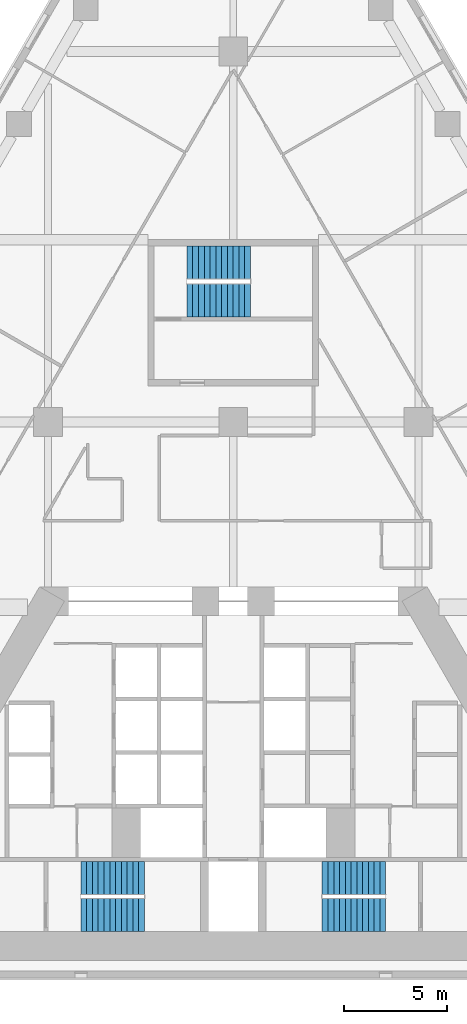
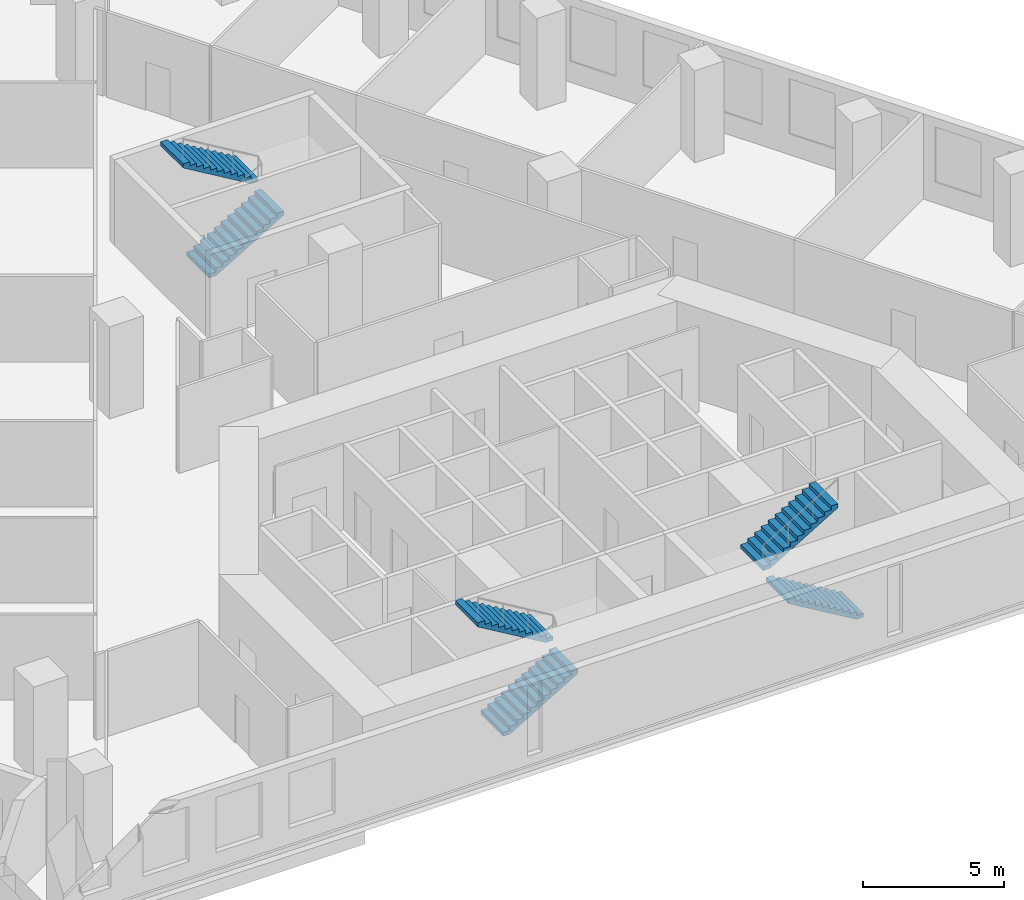
# One storey, part 10 of 11: 6 stair flights, 3 elements without a shape of their own.
"""IFC4 building model written with IfcOpenShell, lengths in metres."""

from ifc_helpers import new_model, si_unit, direction, frame, origin, place, context, subcontext, project, spatial, polyline, outline, extrude, material, type_object, element, aggregate, save


model = new_model("IFC4")

# Units and contexts
model_context = context("Model", 3, precision=1e-05, world=origin(), true_north=direction((0.0, 1.0)))
body_context = subcontext(model_context, "Body", "Model", "MODEL_VIEW")
ifc_project = project(units=[si_unit("LENGTHUNIT", "METRE"), si_unit("AREAUNIT", "SQUARE_METRE"), si_unit("VOLUMEUNIT", "CUBIC_METRE"), si_unit("PLANEANGLEUNIT", "RADIAN"), si_unit("MASSUNIT", "GRAM", prefix="KILO")], contexts=[model_context])

# Site, building, storey
site_placement = place(None, origin())
site = spatial("IfcSite", under=ifc_project, at=site_placement, CompositionType="ELEMENT")
building_placement = place(site_placement, origin())
building = spatial("IfcBuilding", under=site, at=building_placement, Name="Fogline Exchange Tower", CompositionType="ELEMENT")
storey_placement = place(building_placement, frame((0.0, 0.0, 56.89990234375)))
storey = spatial("IfcBuildingStorey", under=building, at=storey_placement, Name="L11", CompositionType="ELEMENT", Elevation=56.89990234375)

# Stair, stair flights
ifc_material = material(Name="Concrete C40", Category="concrete")
stair_type = type_object("IfcStairType", Name="STR24-1667", PredefinedType="HALF_TURN_STAIR", material=ifc_material)
stair_1_placement = place(storey_placement, origin())
stair_1 = element("IfcStair", 1, at=stair_1_placement, inside=storey, type_object=stair_type, Name="Stair ST1", PredefinedType="HALF_TURN_STAIR")
stair_flight_type = type_object("IfcStairFlightType", Name="SF12-1667", PredefinedType="STRAIGHT", material=ifc_material)
stair_flight_1_placement = place(storey_placement, frame((-7.39990234375, 3.050048828125, 0.0), z_axis=(0.0, 0.0, 1.0), x_axis=(1.0, 0.0, 0.0)))
stair_flight_1 = element("IfcStairFlight", 2, at=stair_flight_1_placement, type_object=stair_flight_type, Name="ST1 flight 1", NumberOfRisers=12, NumberOfTreads=11, PredefinedType="STRAIGHT", RiserHeight=0.166666667, TreadLength=0.28, context=body_context, shape_type="SweptSolid", body=[
    extrude(outline(polyline([(0.0, 0.0), (0.0, 0.166748046875), (0.280029296875, 0.166748046875), (0.280029296875, 0.333251953125), (0.56005859375, 0.333251953125), (0.56005859375, 0.5), (0.840087890625, 0.5), (0.840087890625, 0.666748046875), (1.1201171875, 0.666748046875), (1.1201171875, 0.833251953125), (1.39990234375, 0.833251953125), (1.39990234375, 1.0), (1.679931640625, 1.0), (1.679931640625, 1.166748046875), (1.9599609375, 1.166748046875), (1.9599609375, 1.333251953125), (2.239990234375, 1.333251953125), (2.239990234375, 1.5), (2.52001953125, 1.5), (2.52001953125, 1.666748046875), (2.800048828125, 1.666748046875), (2.800048828125, 1.833251953125), (3.080078125, 1.833251953125), (3.080078125, 2.0), (3.080078125, 1.658935546875), (0.29296875, 0.0), (0.0, 0.0)])), frame((0.0, 0.800048828125, 0.0), z_axis=(0.0, -1.0, 0.0), x_axis=(1.0, 0.0, 0.0)), (0.0, 0.0, 1.0), 1.60009765625),
])
stair_flight_2_placement = place(storey_placement, frame((-4.320068359375, 4.85009765625, 2.0), z_axis=(0.0, 0.0, 1.0), x_axis=(-1.0, 0.0, 0.0)))
stair_flight_2 = element("IfcStairFlight", 3, at=stair_flight_2_placement, type_object=stair_flight_type, Name="ST1 flight 2", NumberOfRisers=12, NumberOfTreads=11, PredefinedType="STRAIGHT", RiserHeight=0.166666667, TreadLength=0.28, context=body_context, shape_type="SweptSolid", body=[
    extrude(outline(polyline([(0.0, 0.0), (0.0, 0.166748046875), (0.280029296875, 0.166748046875), (0.280029296875, 0.333251953125), (0.56005859375, 0.333251953125), (0.56005859375, 0.5), (0.840087890625, 0.5), (0.840087890625, 0.666748046875), (1.1201171875, 0.666748046875), (1.1201171875, 0.833251953125), (1.39990234375, 0.833251953125), (1.39990234375, 1.0), (1.679931640625, 1.0), (1.679931640625, 1.166748046875), (1.9599609375, 1.166748046875), (1.9599609375, 1.333251953125), (2.239990234375, 1.333251953125), (2.239990234375, 1.5), (2.52001953125, 1.5), (2.52001953125, 1.666748046875), (2.800048828125, 1.666748046875), (2.800048828125, 1.833251953125), (3.080078125, 1.833251953125), (3.080078125, 2.0), (3.080078125, 1.658935546875), (0.29296875, 0.0), (0.0, 0.0)])), frame((0.0, 0.800048828125, 0.0), z_axis=(0.0, -1.0, 0.0), x_axis=(1.0, 0.0, 0.0)), (0.0, 0.0, 1.0), 1.60009765625),
])
aggregate(stair_1, [stair_flight_1, stair_flight_2])

stair_2_placement = place(storey_placement, origin())
stair_2 = element("IfcStair", 4, at=stair_2_placement, inside=storey, type_object=stair_type, Name="Stair ST2", PredefinedType="HALF_TURN_STAIR")
stair_flight_3_placement = place(storey_placement, frame((7.39990234375, 3.050048828125, 0.0), z_axis=(0.0, 0.0, 1.0), x_axis=(-1.0, 0.0, 0.0)))
stair_flight_3 = element("IfcStairFlight", 5, at=stair_flight_3_placement, type_object=stair_flight_type, Name="ST2 flight 1", NumberOfRisers=12, NumberOfTreads=11, PredefinedType="STRAIGHT", RiserHeight=0.166666667, TreadLength=0.28, context=body_context, shape_type="SweptSolid", body=[
    extrude(outline(polyline([(0.0, 0.0), (0.0, 0.166748046875), (0.280029296875, 0.166748046875), (0.280029296875, 0.333251953125), (0.56005859375, 0.333251953125), (0.56005859375, 0.5), (0.840087890625, 0.5), (0.840087890625, 0.666748046875), (1.1201171875, 0.666748046875), (1.1201171875, 0.833251953125), (1.39990234375, 0.833251953125), (1.39990234375, 1.0), (1.679931640625, 1.0), (1.679931640625, 1.166748046875), (1.9599609375, 1.166748046875), (1.9599609375, 1.333251953125), (2.239990234375, 1.333251953125), (2.239990234375, 1.5), (2.52001953125, 1.5), (2.52001953125, 1.666748046875), (2.800048828125, 1.666748046875), (2.800048828125, 1.833251953125), (3.080078125, 1.833251953125), (3.080078125, 2.0), (3.080078125, 1.658935546875), (0.29296875, 0.0), (0.0, 0.0)])), frame((0.0, 0.800048828125, 0.0), z_axis=(0.0, -1.0, 0.0), x_axis=(1.0, 0.0, 0.0)), (0.0, 0.0, 1.0), 1.60009765625),
])
stair_flight_4_placement = place(storey_placement, frame((4.320068359375, 4.85009765625, 2.0), z_axis=(0.0, 0.0, 1.0), x_axis=(1.0, 0.0, 0.0)))
stair_flight_4 = element("IfcStairFlight", 6, at=stair_flight_4_placement, type_object=stair_flight_type, Name="ST2 flight 2", NumberOfRisers=12, NumberOfTreads=11, PredefinedType="STRAIGHT", RiserHeight=0.166666667, TreadLength=0.28, context=body_context, shape_type="SweptSolid", body=[
    extrude(outline(polyline([(0.0, 0.0), (0.0, 0.166748046875), (0.280029296875, 0.166748046875), (0.280029296875, 0.333251953125), (0.56005859375, 0.333251953125), (0.56005859375, 0.5), (0.840087890625, 0.5), (0.840087890625, 0.666748046875), (1.1201171875, 0.666748046875), (1.1201171875, 0.833251953125), (1.39990234375, 0.833251953125), (1.39990234375, 1.0), (1.679931640625, 1.0), (1.679931640625, 1.166748046875), (1.9599609375, 1.166748046875), (1.9599609375, 1.333251953125), (2.239990234375, 1.333251953125), (2.239990234375, 1.5), (2.52001953125, 1.5), (2.52001953125, 1.666748046875), (2.800048828125, 1.666748046875), (2.800048828125, 1.833251953125), (3.080078125, 1.833251953125), (3.080078125, 2.0), (3.080078125, 1.658935546875), (0.29296875, 0.0), (0.0, 0.0)])), frame((0.0, 0.800048828125, 0.0), z_axis=(0.0, -1.0, 0.0), x_axis=(1.0, 0.0, 0.0)), (0.0, 0.0, 1.0), 1.60009765625),
])
aggregate(stair_2, [stair_flight_3, stair_flight_4])

stair_3_placement = place(storey_placement, origin())
stair_3 = element("IfcStair", 7, at=stair_3_placement, inside=storey, type_object=stair_type, Name="Stair ST3", PredefinedType="HALF_TURN_STAIR")
stair_flight_5_placement = place(storey_placement, frame((-2.25, 32.906982421875, 0.0), z_axis=(0.0, 0.0, 1.0), x_axis=(1.0, 0.0, 0.0)))
stair_flight_5 = element("IfcStairFlight", 8, at=stair_flight_5_placement, type_object=stair_flight_type, Name="ST3 flight 1", NumberOfRisers=12, NumberOfTreads=11, PredefinedType="STRAIGHT", RiserHeight=0.166666667, TreadLength=0.28, context=body_context, shape_type="SweptSolid", body=[
    extrude(outline(polyline([(0.0, 0.0), (0.0, 0.166748046875), (0.280029296875, 0.166748046875), (0.280029296875, 0.333251953125), (0.56005859375, 0.333251953125), (0.56005859375, 0.5), (0.840087890625, 0.5), (0.840087890625, 0.666748046875), (1.1201171875, 0.666748046875), (1.1201171875, 0.833251953125), (1.39990234375, 0.833251953125), (1.39990234375, 1.0), (1.679931640625, 1.0), (1.679931640625, 1.166748046875), (1.9599609375, 1.166748046875), (1.9599609375, 1.333251953125), (2.239990234375, 1.333251953125), (2.239990234375, 1.5), (2.52001953125, 1.5), (2.52001953125, 1.666748046875), (2.800048828125, 1.666748046875), (2.800048828125, 1.833251953125), (3.080078125, 1.833251953125), (3.080078125, 2.0), (3.080078125, 1.658935546875), (0.29296875, 0.0), (0.0, 0.0)])), frame((0.0, 0.800048828125, 0.0), z_axis=(0.0, -1.0, 0.0), x_axis=(1.0, 0.0, 0.0)), (0.0, 0.0, 1.0), 1.60009765625),
])
stair_flight_6_placement = place(storey_placement, frame((0.830078125, 34.757080078125, 2.0), z_axis=(0.0, 0.0, 1.0), x_axis=(-1.0, 0.0, 0.0)))
stair_flight_6 = element("IfcStairFlight", 9, at=stair_flight_6_placement, type_object=stair_flight_type, Name="ST3 flight 2", NumberOfRisers=12, NumberOfTreads=11, PredefinedType="STRAIGHT", RiserHeight=0.166666667, TreadLength=0.28, context=body_context, shape_type="SweptSolid", body=[
    extrude(outline(polyline([(0.0, 0.0), (0.0, 0.166748046875), (0.280029296875, 0.166748046875), (0.280029296875, 0.333251953125), (0.56005859375, 0.333251953125), (0.56005859375, 0.5), (0.840087890625, 0.5), (0.840087890625, 0.666748046875), (1.1201171875, 0.666748046875), (1.1201171875, 0.833251953125), (1.39990234375, 0.833251953125), (1.39990234375, 1.0), (1.679931640625, 1.0), (1.679931640625, 1.166748046875), (1.9599609375, 1.166748046875), (1.9599609375, 1.333251953125), (2.239990234375, 1.333251953125), (2.239990234375, 1.5), (2.52001953125, 1.5), (2.52001953125, 1.666748046875), (2.800048828125, 1.666748046875), (2.800048828125, 1.833251953125), (3.080078125, 1.833251953125), (3.080078125, 2.0), (3.080078125, 1.658935546875), (0.29296875, 0.0), (0.0, 0.0)])), frame((0.0, 0.800048828125, 0.0), z_axis=(0.0, -1.0, 0.0), x_axis=(1.0, 0.0, 0.0)), (0.0, 0.0, 1.0), 1.60009765625),
])
aggregate(stair_3, [stair_flight_5, stair_flight_6])

save(model, "model.ifc")
